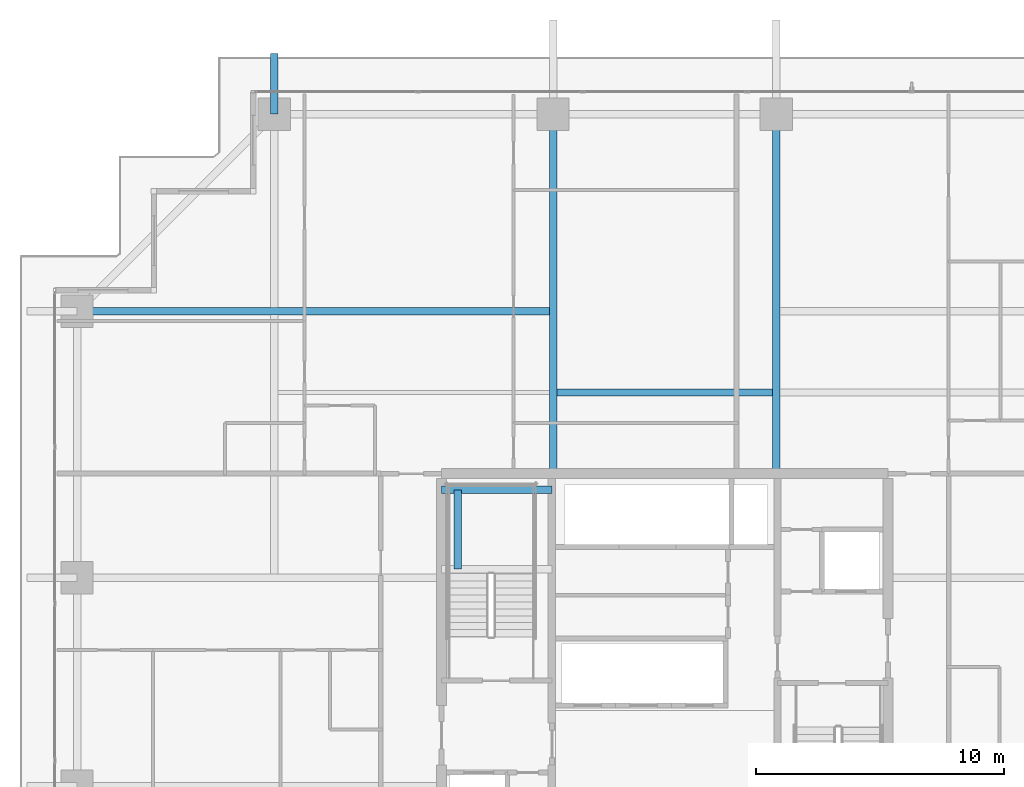
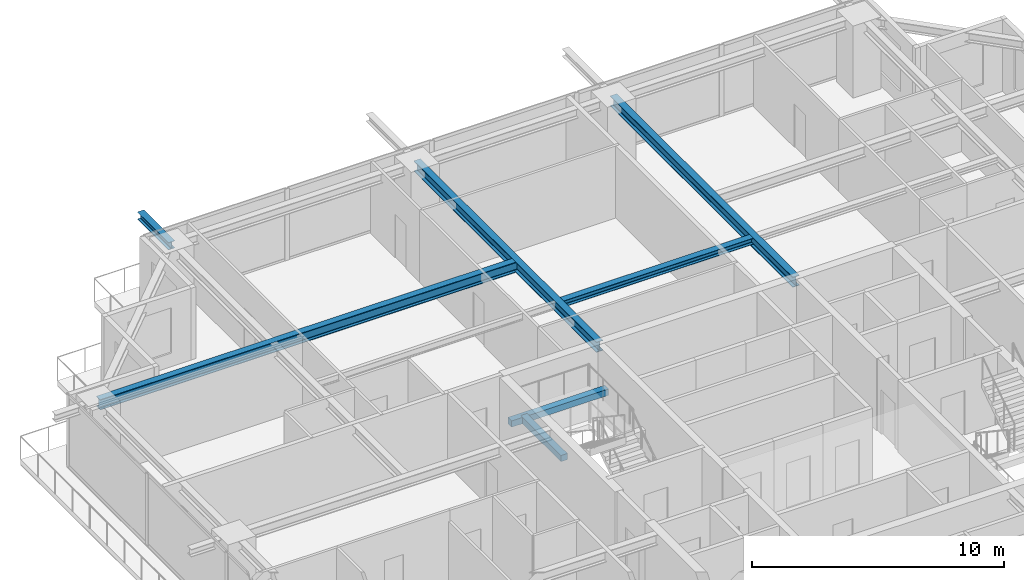
# One storey, part 18 of 35: 7 beams.
"""IFC4 building model written with IfcOpenShell, lengths in metres."""

from ifc_helpers import new_model, si_unit, direction, frame, origin, origin_2d, place, context, subcontext, project, spatial, rectangle, i_section, extrude, source, transform, mapped, material, material_profile, profile_set, type_object, element, save


model = new_model("IFC4")

# Units and contexts
model_context = context("Model", 3, precision=1e-05, world=origin(), true_north=direction((0.0, 1.0)))
body_context = subcontext(model_context, "Body", "Model", "MODEL_VIEW")
ifc_project = project(units=[si_unit("LENGTHUNIT", "METRE"), si_unit("AREAUNIT", "SQUARE_METRE"), si_unit("VOLUMEUNIT", "CUBIC_METRE"), si_unit("PLANEANGLEUNIT", "RADIAN"), si_unit("MASSUNIT", "GRAM", prefix="KILO")], contexts=[model_context])

# Site, building, storey
site_placement = place(None, origin())
site = spatial("IfcSite", under=ifc_project, at=site_placement, CompositionType="ELEMENT")
building_placement = place(site_placement, origin())
building = spatial("IfcBuilding", under=site, at=building_placement, Name="Serunith Strait Residences", CompositionType="ELEMENT")
storey_placement = place(building_placement, frame((0.0, 0.0, 191.39990234375)))
storey = spatial("IfcBuildingStorey", under=building, at=storey_placement, Name="L48", CompositionType="ELEMENT", Elevation=191.39990234375)

# Beams
ifc_material_1 = material(Name="Steel S355J2", Category="steel")
ifc_material_profile_1 = material_profile(ifc_material_1, i_section(OverallWidth=0.300048828125, OverallDepth=0.300048828125, WebThickness=0.010986328125, FlangeThickness=0.01904296875, FilletRadius=0.027099609375, at=origin_2d()), Name="HEB 300")
ifc_profile_set_1 = profile_set([ifc_material_profile_1], Name="Steel S355J2")
beam_type_1 = type_object("IfcBeamType", Name="BM-HEB300", PredefinedType="JOIST", material=ifc_profile_set_1)
shared_shape_1 = source(origin(), body_context, "Body", "SweptSolid", [
    extrude(i_section(OverallWidth=0.300048828125, OverallDepth=0.300048828125, WebThickness=0.010986328125, FlangeThickness=0.01904296875, FilletRadius=0.027099609375, at=origin_2d()), origin(), (0.0, 0.0, 1.0), 8.699951171875),
])
beam_1_placement = place(storey_placement, frame((28.050048828125, 36.875, 3.337158203125), z_axis=(1.0, 0.0, 0.0), x_axis=(0.0, 1.0, 0.0)))
element("IfcBeam", 1, at=beam_1_placement, inside=storey, type_object=beam_type_1, Name="L48 Composite Floor Joist 05", PredefinedType="JOIST", context=body_context, shape_type="MappedRepresentation", body=[
    mapped(shared_shape_1, transform((0.0, 0.0, 0.0), scale=1.0)),
])
ifc_material_profile_2 = material_profile(ifc_material_1, i_section(OverallWidth=0.300048828125, OverallDepth=0.5, WebThickness=0.014404296875, FlangeThickness=0.028076171875, FilletRadius=0.027099609375, at=origin_2d()), Name="HEB 500")
ifc_profile_set_2 = profile_set([ifc_material_profile_2], Name="Steel S355J2")
beam_type_2 = type_object("IfcBeamType", Name="BM-HEB500", PredefinedType="BEAM", material=ifc_profile_set_2)
shared_shape_2 = source(origin(), body_context, "Body", "SweptSolid", [
    extrude(i_section(OverallWidth=0.300048828125, OverallDepth=0.5, WebThickness=0.014404296875, FlangeThickness=0.028076171875, FilletRadius=0.027099609375, at=origin_2d()), origin(), (0.0, 0.0, 1.0), 14.5),
])
for number, where, z_axis, x_axis, name in (
    (2, (27.89990234375, 33.60009765625, 3.237060546875), (0.0, 1.0, 0.0), (-1.0, 0.0, 0.0), "L48 Primary Floor Girder TC-N2"),
    (3, (36.89990234375, 33.60009765625, 3.237060546875), (0.0, 1.0, 0.0), (-1.0, 0.0, 0.0), "L48 Primary Floor Girder TC-N3"),
):
    element("IfcBeam", number, at=place(storey_placement, frame(where, z_axis=z_axis, x_axis=x_axis)), inside=storey, type_object=beam_type_2, Name=name, PredefinedType="BEAM", context=body_context, shape_type="MappedRepresentation", body=[
        mapped(shared_shape_2, transform((0.0, 0.0, 0.0), scale=1.0)),
    ])
shared_shape_3 = source(origin(), body_context, "Body", "SweptSolid", [
    extrude(i_section(OverallWidth=0.300048828125, OverallDepth=0.5, WebThickness=0.014404296875, FlangeThickness=0.028076171875, FilletRadius=0.027099609375, at=origin_2d()), origin(), (0.0, 0.0, 1.0), 19.199951171875),
])
beam_2_placement = place(storey_placement, frame((27.89990234375, 40.14990234375, 3.237060546875), z_axis=(-1.0, 0.0, 0.0), x_axis=(0.0, -1.0, 0.0)))
element("IfcBeam", 4, at=beam_2_placement, inside=storey, type_object=beam_type_2, Name="L48 Orthogonal Corner Girder TC-W4", PredefinedType="BEAM", context=body_context, shape_type="MappedRepresentation", body=[
    mapped(shared_shape_3, transform((0.0, 0.0, 0.0), scale=1.0)),
])
ifc_material_profile_3 = material_profile(ifc_material_1, i_section(OverallWidth=0.300048828125, OverallDepth=0.360107421875, WebThickness=0.012451171875, FlangeThickness=0.0224609375, FilletRadius=0.027099609375, at=origin_2d()), Name="HEB 360")
ifc_profile_set_3 = profile_set([ifc_material_profile_3], Name="Steel S355J2")
beam_type_3 = type_object("IfcBeamType", Name="BM-HEB360", PredefinedType="BEAM", material=ifc_profile_set_3)
shared_shape_4 = source(origin(), body_context, "Body", "SweptSolid", [
    extrude(i_section(OverallWidth=0.300048828125, OverallDepth=0.360107421875, WebThickness=0.012451171875, FlangeThickness=0.0224609375, FilletRadius=0.027099609375, at=origin_2d()), origin(), (0.0, 0.0, 1.0), 2.457275390625),
])
beam_3_placement = place(storey_placement, frame((16.64990234375, 48.10009765625, 3.277099609375), z_axis=(0.0, 1.0, 0.0), x_axis=(-1.0, 0.0, 0.0)))
element("IfcBeam", 5, at=beam_3_placement, inside=storey, type_object=beam_type_3, Name="L49 Cantilevered Balcony Rib TC-N1", PredefinedType="BEAM", context=body_context, shape_type="MappedRepresentation", body=[
    mapped(shared_shape_4, transform((0.0, 0.0, 0.0), scale=1.0)),
])
ifc_material_2 = material(Name="Concrete C60/75", Category="concrete")
ifc_material_profile_4 = material_profile(ifc_material_2, rectangle(XDim=0.300048828125, YDim=0.300048828125, at=origin_2d()), Name="RC 300x300")
ifc_profile_set_4 = profile_set([ifc_material_profile_4], Name="Concrete C60/75")
beam_type_4 = type_object("IfcBeamType", Name="BM-LAND-300x300", PredefinedType="BEAM", material=ifc_profile_set_4)
shared_shape_5 = source(origin(), body_context, "Body", "SweptSolid", [
    extrude(rectangle(XDim=0.300048828125, YDim=0.300048828125, at=origin_2d()), origin(), (0.0, 0.0, 1.0), 4.4501953125),
])
beam_4_placement = place(storey_placement, frame((23.39990234375, 32.949951171875, 1.525146484375), z_axis=(1.0, 0.0, 0.0), x_axis=(0.0, 1.0, 0.0)))
element("IfcBeam", 6, at=beam_4_placement, inside=storey, type_object=beam_type_4, Name="L48 ST-1 Landing Support Beam 2", PredefinedType="BEAM", context=body_context, shape_type="MappedRepresentation", body=[
    mapped(shared_shape_5, transform((0.0, 0.0, 0.0), scale=1.0)),
])
shared_shape_6 = source(origin(), body_context, "Body", "SweptSolid", [
    extrude(rectangle(XDim=0.300048828125, YDim=0.300048828125, at=origin_2d()), origin(), (0.0, 0.0, 1.0), 3.199951171875),
])
beam_5_placement = place(storey_placement, frame((24.050048828125, 29.75, 1.525146484375), z_axis=(0.0, 1.0, 0.0), x_axis=(-1.0, 0.0, 0.0)))
element("IfcBeam", 7, at=beam_5_placement, inside=storey, type_object=beam_type_4, Name="L48 ST-1 Landing Transverse Tie Beam", PredefinedType="BEAM", context=body_context, shape_type="MappedRepresentation", body=[
    mapped(shared_shape_6, transform((0.0, 0.0, 0.0), scale=1.0)),
])

save(model, "model.ifc")
